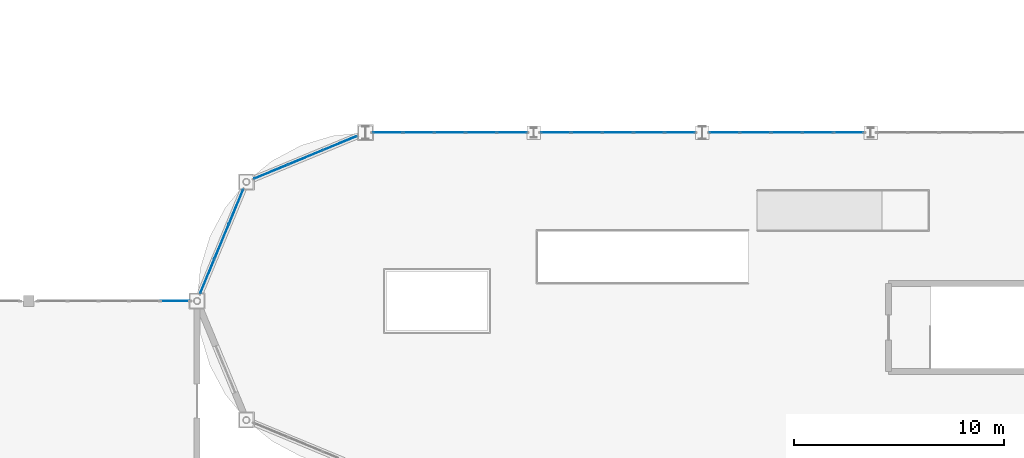
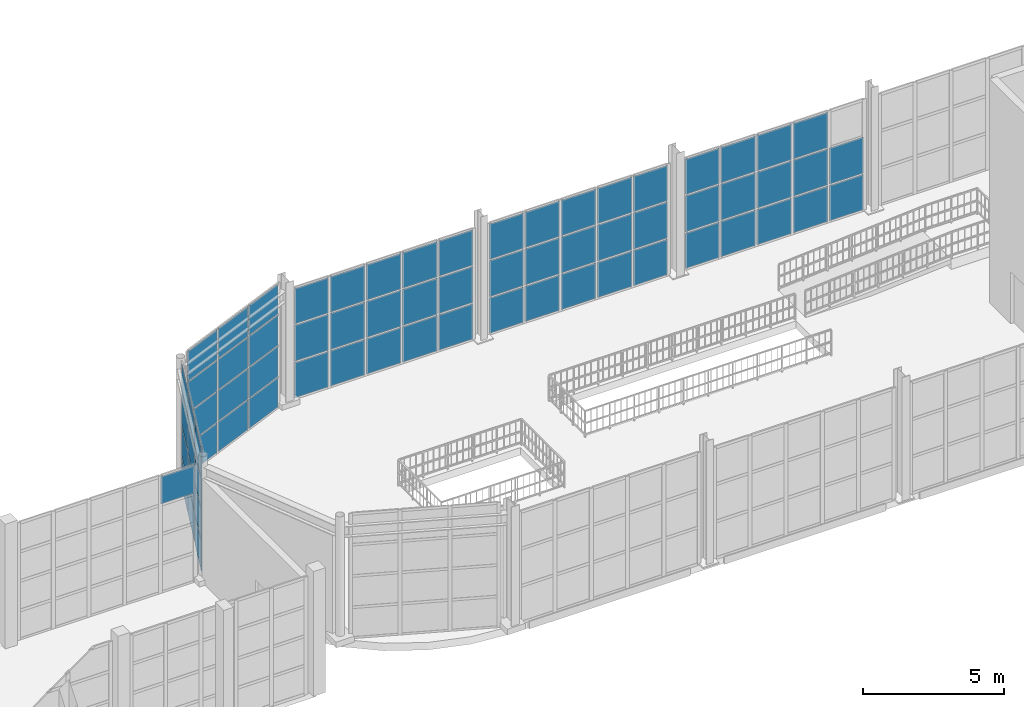
# One storey, part 54 of 82: 69 plates, 6 elements without a shape of their own.
"""IFC4 building model written with IfcOpenShell, lengths in metres."""

import ifcopenshell
import ifcopenshell.guid

model = None  # the IFC model being written
_history = None  # IfcOwnerHistory: only IFC2X3 demands one
_inside = {}  # id of a spatial element -> (the spatial element, [elements in it])
_under = {}  # id of a project, library or spatial element -> (it, [spatial elements below it])
_declared = {}  # id of a project -> (the project, [libraries it declares])
_typed = {}  # id of a type object -> (the type object, [elements of that type])
_made_of = {}  # id of a material, layer set ... -> (it, [elements and type objects made of it])


def new_model(schema):
    """Start an empty IFC model of exactly this schema.

    Asked for "IFC4X3", IfcOpenShell would pick the latest addendum, in which some entities
    have other attributes; the version numbers below select the first issue.
    IFC2X3 requires an IfcOwnerHistory on every rooted entity: one is made here for all.
    """
    global model, _history
    if schema == "IFC4X3":
        model = ifcopenshell.file(schema_version=(4, 3, 0, 0))
    else:
        model = ifcopenshell.file(schema=schema)
    _inside.clear()
    _under.clear()
    _declared.clear()
    _typed.clear()
    _made_of.clear()
    _history = None
    if model.schema == "IFC2X3":
        org = make("IfcOrganization", Name="unknown")
        user = make(
            "IfcPersonAndOrganization",
            ThePerson=make("IfcPerson", FamilyName="unknown"),
            TheOrganization=org,
        )
        app = make(
            "IfcApplication",
            ApplicationDeveloper=org,
            Version="unknown",
            ApplicationFullName="unknown",
            ApplicationIdentifier="unknown",
        )
        _history = make(
            "IfcOwnerHistory",
            OwningUser=user,
            OwningApplication=app,
            ChangeAction="ADDED",
            CreationDate=0,
        )
    return model


def make(cls, **values):
    """One entity of the class cls with the attributes given. An attribute that is None is left unset."""
    return model.create_entity(
        cls, **{name: value for name, value in values.items() if value is not None}
    )


def rooted(cls, **values):
    """An entity with a GlobalId (a new one), such as an element, a storey or a relation."""
    return make(cls, GlobalId=ifcopenshell.guid.new(), OwnerHistory=_history, **values)


def si_unit(unit_type, name, prefix=None):
    """IfcSIUnit, for example si_unit("LENGTHUNIT", "METRE", prefix="MILLI")."""
    return make("IfcSIUnit", UnitType=unit_type, Prefix=prefix, Name=name)


def assignment(units):
    """IfcUnitAssignment: the units of a project."""
    return None if units is None else make("IfcUnitAssignment", Units=units)


def point(xyz):
    """IfcCartesianPoint."""
    return None if xyz is None else make("IfcCartesianPoint", Coordinates=xyz)


def direction(xyz):
    """IfcDirection."""
    return None if xyz is None else make("IfcDirection", DirectionRatios=xyz)


def frame(location, z_axis=None, x_axis=None):
    """IfcAxis2Placement3D, a coordinate frame: its origin and axes. An axis left out is left unset."""
    return make(
        "IfcAxis2Placement3D",
        Location=point(location),
        Axis=direction(z_axis),
        RefDirection=direction(x_axis),
    )


def frame_2d(location, x_axis=None):
    """IfcAxis2Placement2D, a coordinate frame in the plane: its origin and x axis."""
    return make(
        "IfcAxis2Placement2D", Location=point(location), RefDirection=direction(x_axis)
    )


def origin():
    """The frame at (0, 0, 0) with its axes left unset."""
    return frame((0.0, 0.0, 0.0))


def origin_2d():
    """The frame at (0, 0) in the plane with its x axis left unset."""
    return frame_2d((0.0, 0.0))


def place(relative_to, where):
    """IfcLocalPlacement: puts the frame where relative to a parent placement (None: the world)."""
    return make(
        "IfcLocalPlacement", PlacementRelTo=relative_to, RelativePlacement=where
    )


def context(
    kind, dimensions, precision=None, world=None, true_north=None, identifier=None
):
    """IfcGeometricRepresentationContext, for example the 3D "Model" context."""
    return make(
        "IfcGeometricRepresentationContext",
        ContextIdentifier=identifier,
        ContextType=kind,
        CoordinateSpaceDimension=dimensions,
        Precision=precision,
        WorldCoordinateSystem=world,
        TrueNorth=true_north,
    )


def subcontext(parent, identifier, kind, view, scale=None):
    """IfcGeometricRepresentationSubContext, for example "Body" below "Model"."""
    return make(
        "IfcGeometricRepresentationSubContext",
        ContextIdentifier=identifier,
        ContextType=kind,
        ParentContext=parent,
        TargetScale=scale,
        TargetView=view,
    )


def project(units=None, contexts=None):
    """IfcProject with its units and contexts."""
    return rooted(
        "IfcProject",
        Name="project",
        RepresentationContexts=contexts,
        UnitsInContext=assignment(units),
    )


def spatial(cls, under=None, at=None, **own):
    """A site, building, storey or space (cls), placed at a placement, below another one or the project."""
    s = rooted(cls, ObjectPlacement=at, **own)
    if under is not None:
        _under.setdefault(under.id(), (under, []))[1].append(s)
    return s


def profile(cls, at=None, kind="AREA", **sizes):
    """A parametric profile (cls). Its sizes go by their IFC names, for example OverallWidth=200.0."""
    return make(cls, ProfileType=kind, Position=at, **sizes)


def rectangle(**sizes):
    """IfcRectangleProfileDef."""
    return profile("IfcRectangleProfileDef", **sizes)


def extrude(swept, where, along, depth):
    """IfcExtrudedAreaSolid: the profile swept, set in the frame where, extruded along a direction by depth."""
    return make(
        "IfcExtrudedAreaSolid",
        SweptArea=swept,
        Position=where,
        ExtrudedDirection=direction(along),
        Depth=depth,
    )


def shape(context_of_items, identifier, shape_type, items):
    """IfcShapeRepresentation: the items that make up one representation, for example the "Body"."""
    return make(
        "IfcShapeRepresentation",
        ContextOfItems=context_of_items,
        RepresentationIdentifier=identifier,
        RepresentationType=shape_type,
        Items=items,
    )


def material(Name=None, Category=None):
    """IfcMaterial."""
    return make("IfcMaterial", Name=Name, Category=Category)


def layer(
    of_material, thickness, ventilated=None, Name=None, Category=None, Priority=None
):
    """IfcMaterialLayer: one layer of a wall or slab, of a material (None: an air gap)."""
    return make(
        "IfcMaterialLayer",
        Material=of_material,
        LayerThickness=thickness,
        IsVentilated=ventilated,
        Name=Name,
        Category=Category,
        Priority=Priority,
    )


def layer_set(layers, Name=None):
    """IfcMaterialLayerSet."""
    return make("IfcMaterialLayerSet", MaterialLayers=layers, LayerSetName=Name)


def made_of(thing, what):
    """Note that an element or type object is made of a material, layer set ...; save() writes the relation."""
    if what is not None:
        _made_of.setdefault(what.id(), (what, []))[1].append(thing)
    return thing


def type_object(cls, material=None, **own):
    """A type object (cls), such as IfcWallType, which elements share."""
    return made_of(rooted(cls, **own), material)


def element(
    cls,
    number,
    at=None,
    inside=None,
    cuts=None,
    type_object=None,
    material=None,
    context=None,
    identifier="Body",
    shape_type=None,
    held_by="IfcProductDefinitionShape",
    body=None,
    shapes=None,
    **own,
):
    """One element of the class cls, such as IfcWall. Its Tag is "e" and its number.

    at: its placement. inside: the storey or other place that contains it. cuts: it is an
    opening in that element (IfcRelVoidsElement). A single representation is given by context,
    identifier, shape_type and body (its items); several are given by shapes. held_by: the class
    of the entity that holds the representations. save() writes the other relations.
    """
    e = rooted(cls, Tag="e%d" % number, ObjectPlacement=at, **own)
    if body is not None:
        shapes = [shape(context, identifier, shape_type, body)]
    if shapes is not None:
        e.Representation = make(held_by, Representations=shapes)
    if inside is not None:
        _inside.setdefault(inside.id(), (inside, []))[1].append(e)
    if cuts is not None:
        rooted(
            "IfcRelVoidsElement", RelatingBuildingElement=cuts, RelatedOpeningElement=e
        )
    if type_object is not None:
        _typed.setdefault(type_object.id(), (type_object, []))[1].append(e)
    return made_of(e, material)


def aggregate(whole, parts):
    """IfcRelAggregates: a whole, such as a stair, and the parts it consists of."""
    return rooted("IfcRelAggregates", RelatingObject=whole, RelatedObjects=parts)


def save(model, path):
    """Write the relations noted so far, then the file.

    IfcRelAggregates (storeys below a building ...), IfcRelContainedInSpatialStructure (elements
    in a storey), IfcRelDefinesByType, IfcRelAssociatesMaterial and IfcRelDeclares: one each for
    every whole, place, type object, material and project.
    """
    for whole, parts in _under.values():
        aggregate(whole, parts)
    for where, things in _inside.values():
        rooted(
            "IfcRelContainedInSpatialStructure",
            RelatedElements=things,
            RelatingStructure=where,
        )
    for kind, things in _typed.values():
        rooted("IfcRelDefinesByType", RelatedObjects=things, RelatingType=kind)
    for what, things in _made_of.values():
        rooted("IfcRelAssociatesMaterial", RelatedObjects=things, RelatingMaterial=what)
    for by, libraries in _declared.values():
        rooted("IfcRelDeclares", RelatingContext=by, RelatedDefinitions=libraries)
    model.write(path)


model = new_model("IFC4")

# Units and contexts
model_context = context("Model", 3, precision=1e-05, world=origin(), true_north=direction((0.0, 1.0)))
body_context = subcontext(model_context, "Body", "Model", "MODEL_VIEW")
ifc_project = project(units=[si_unit("LENGTHUNIT", "METRE"), si_unit("AREAUNIT", "SQUARE_METRE"), si_unit("VOLUMEUNIT", "CUBIC_METRE"), si_unit("PLANEANGLEUNIT", "RADIAN"), si_unit("MASSUNIT", "GRAM", prefix="KILO")], contexts=[model_context])

# Site, building, storey
site_placement = place(None, origin())
site = spatial("IfcSite", under=ifc_project, at=site_placement, CompositionType="ELEMENT")
building_placement = place(site_placement, origin())
building = spatial("IfcBuilding", under=site, at=building_placement, Name="Serraluz Foothill Cableway Terminal", CompositionType="ELEMENT")
storey_placement = place(building_placement, frame((0.0, 0.0, 9.60009765625)))
storey = spatial("IfcBuildingStorey", under=building, at=storey_placement, Name="L02", CompositionType="ELEMENT", Elevation=9.60009765625)

# Curtain wall, plates
ifc_material_1 = material(Name="Architectural bronze alloy C28000", Category="aluminium")
curtain_wall_type_1 = type_object("IfcCurtainWallType", Name="TYP-CW-540X420", PredefinedType="NOTDEFINED", material=ifc_material_1)
curtain_wall_1_placement = place(storey_placement, origin())
curtain_wall_1 = element("IfcCurtainWall", 1, at=curtain_wall_1_placement, inside=storey, type_object=curtain_wall_type_1, Name="Ribbed Glazed Curtain Wall CW-V1N-L02-40", PredefinedType="NOTDEFINED")
ifc_material_2 = material(Name="Translucent ribbed laminated channel glass", Category="glass")
ifc_layer_1 = layer(ifc_material_2, 0.028076171875, Name="Translucent ribbed laminated channel glass", Category="glass")
ifc_layer_set_1 = layer_set([ifc_layer_1], Name="Translucent ribbed laminated channel glass")
plate_type_1 = type_object("IfcPlateType", Name="TYP-CW-PNL-28", PredefinedType="CURTAIN_PANEL", material=ifc_layer_set_1)
plate_1_placement = place(storey_placement, frame((41.05908203125, 72.0, 0.06005859375), z_axis=(0.0, 0.0, 1.0), x_axis=(1.0, 0.0, 0.0)))
plate_1 = element("IfcPlate", 2, at=plate_1_placement, type_object=plate_type_1, Name="CW-10 panel 1.1", PredefinedType="CURTAIN_PANEL", context=body_context, shape_type="SweptSolid", body=[
    extrude(rectangle(XDim=1.393310546875, YDim=0.028076171875, at=origin_2d()), origin(), (0.0, 0.0, 1.0), 1.526611328125),
])
plate_2_placement = place(storey_placement, frame((41.05908203125, 72.0, 1.646484375), z_axis=(0.0, 0.0, 1.0), x_axis=(1.0, 0.0, 0.0)))
plate_2 = element("IfcPlate", 3, at=plate_2_placement, type_object=plate_type_1, Name="CW-10 panel 1.2", PredefinedType="CURTAIN_PANEL", context=body_context, shape_type="SweptSolid", body=[
    extrude(rectangle(XDim=1.393310546875, YDim=0.028076171875, at=origin_2d()), origin(), (0.0, 0.0, 1.0), 1.556640625),
])
plate_3_placement = place(storey_placement, frame((41.05908203125, 72.0, 3.26318359375), z_axis=(0.0, 0.0, 1.0), x_axis=(1.0, 0.0, 0.0)))
plate_3 = element("IfcPlate", 4, at=plate_3_placement, type_object=plate_type_1, Name="CW-10 panel 1.3", PredefinedType="CURTAIN_PANEL", context=body_context, shape_type="SweptSolid", body=[
    extrude(rectangle(XDim=1.393310546875, YDim=0.028076171875, at=origin_2d()), origin(), (0.0, 0.0, 1.0), 1.526611328125),
])
plate_4_placement = place(storey_placement, frame((42.52734375, 72.0, 0.06005859375), z_axis=(0.0, 0.0, 1.0), x_axis=(1.0, 0.0, 0.0)))
plate_4 = element("IfcPlate", 5, at=plate_4_placement, type_object=plate_type_1, Name="CW-10 panel 2.1", PredefinedType="CURTAIN_PANEL", context=body_context, shape_type="SweptSolid", body=[
    extrude(rectangle(XDim=1.423095703125, YDim=0.028076171875, at=origin_2d()), origin(), (0.0, 0.0, 1.0), 1.526611328125),
])
plate_5_placement = place(storey_placement, frame((42.52734375, 72.0, 1.646484375), z_axis=(0.0, 0.0, 1.0), x_axis=(1.0, 0.0, 0.0)))
plate_5 = element("IfcPlate", 6, at=plate_5_placement, type_object=plate_type_1, Name="CW-10 panel 2.2", PredefinedType="CURTAIN_PANEL", context=body_context, shape_type="SweptSolid", body=[
    extrude(rectangle(XDim=1.423095703125, YDim=0.028076171875, at=origin_2d()), origin(), (0.0, 0.0, 1.0), 1.556640625),
])
plate_6_placement = place(storey_placement, frame((42.52734375, 72.0, 3.26318359375), z_axis=(0.0, 0.0, 1.0), x_axis=(1.0, 0.0, 0.0)))
plate_6 = element("IfcPlate", 7, at=plate_6_placement, type_object=plate_type_1, Name="CW-10 panel 2.3", PredefinedType="CURTAIN_PANEL", context=body_context, shape_type="SweptSolid", body=[
    extrude(rectangle(XDim=1.423095703125, YDim=0.028076171875, at=origin_2d()), origin(), (0.0, 0.0, 1.0), 1.526611328125),
])
plate_7_placement = place(storey_placement, frame((44.010498046875, 72.0, 0.06005859375), z_axis=(0.0, 0.0, 1.0), x_axis=(1.0, 0.0, 0.0)))
plate_7 = element("IfcPlate", 8, at=plate_7_placement, type_object=plate_type_1, Name="CW-10 panel 3.1", PredefinedType="CURTAIN_PANEL", context=body_context, shape_type="SweptSolid", body=[
    extrude(rectangle(XDim=1.423095703125, YDim=0.028076171875, at=origin_2d()), origin(), (0.0, 0.0, 1.0), 1.526611328125),
])
plate_8_placement = place(storey_placement, frame((44.010498046875, 72.0, 1.646484375), z_axis=(0.0, 0.0, 1.0), x_axis=(1.0, 0.0, 0.0)))
plate_8 = element("IfcPlate", 9, at=plate_8_placement, type_object=plate_type_1, Name="CW-10 panel 3.2", PredefinedType="CURTAIN_PANEL", context=body_context, shape_type="SweptSolid", body=[
    extrude(rectangle(XDim=1.423095703125, YDim=0.028076171875, at=origin_2d()), origin(), (0.0, 0.0, 1.0), 1.556640625),
])
plate_9_placement = place(storey_placement, frame((44.010498046875, 72.0, 3.26318359375), z_axis=(0.0, 0.0, 1.0), x_axis=(1.0, 0.0, 0.0)))
plate_9 = element("IfcPlate", 10, at=plate_9_placement, type_object=plate_type_1, Name="CW-10 panel 3.3", PredefinedType="CURTAIN_PANEL", context=body_context, shape_type="SweptSolid", body=[
    extrude(rectangle(XDim=1.423095703125, YDim=0.028076171875, at=origin_2d()), origin(), (0.0, 0.0, 1.0), 1.526611328125),
])
plate_10_placement = place(storey_placement, frame((45.49365234375, 72.0, 0.06005859375), z_axis=(0.0, 0.0, 1.0), x_axis=(1.0, 0.0, 0.0)))
plate_10 = element("IfcPlate", 11, at=plate_10_placement, type_object=plate_type_1, Name="CW-10 panel 4.1", PredefinedType="CURTAIN_PANEL", context=body_context, shape_type="SweptSolid", body=[
    extrude(rectangle(XDim=1.423095703125, YDim=0.028076171875, at=origin_2d()), origin(), (0.0, 0.0, 1.0), 1.526611328125),
])
plate_11_placement = place(storey_placement, frame((45.49365234375, 72.0, 1.646484375), z_axis=(0.0, 0.0, 1.0), x_axis=(1.0, 0.0, 0.0)))
plate_11 = element("IfcPlate", 12, at=plate_11_placement, type_object=plate_type_1, Name="CW-10 panel 4.2", PredefinedType="CURTAIN_PANEL", context=body_context, shape_type="SweptSolid", body=[
    extrude(rectangle(XDim=1.423095703125, YDim=0.028076171875, at=origin_2d()), origin(), (0.0, 0.0, 1.0), 1.556640625),
])
plate_12_placement = place(storey_placement, frame((45.49365234375, 72.0, 3.26318359375), z_axis=(0.0, 0.0, 1.0), x_axis=(1.0, 0.0, 0.0)))
plate_12 = element("IfcPlate", 13, at=plate_12_placement, type_object=plate_type_1, Name="CW-10 panel 4.3", PredefinedType="CURTAIN_PANEL", context=body_context, shape_type="SweptSolid", body=[
    extrude(rectangle(XDim=1.423095703125, YDim=0.028076171875, at=origin_2d()), origin(), (0.0, 0.0, 1.0), 1.526611328125),
])
plate_13_placement = place(storey_placement, frame((46.9619140625, 72.0, 0.06005859375), z_axis=(0.0, 0.0, 1.0), x_axis=(1.0, 0.0, 0.0)))
plate_13 = element("IfcPlate", 14, at=plate_13_placement, type_object=plate_type_1, Name="CW-10 panel 5.1", PredefinedType="CURTAIN_PANEL", context=body_context, shape_type="SweptSolid", body=[
    extrude(rectangle(XDim=1.393310546875, YDim=0.028076171875, at=origin_2d()), origin(), (0.0, 0.0, 1.0), 1.526611328125),
])
plate_14_placement = place(storey_placement, frame((46.9619140625, 72.0, 1.646484375), z_axis=(0.0, 0.0, 1.0), x_axis=(1.0, 0.0, 0.0)))
plate_14 = element("IfcPlate", 15, at=plate_14_placement, type_object=plate_type_1, Name="CW-10 panel 5.2", PredefinedType="CURTAIN_PANEL", context=body_context, shape_type="SweptSolid", body=[
    extrude(rectangle(XDim=1.393310546875, YDim=0.028076171875, at=origin_2d()), origin(), (0.0, 0.0, 1.0), 1.556640625),
])
plate_15_placement = place(storey_placement, frame((46.9619140625, 72.0, 3.26318359375), z_axis=(0.0, 0.0, 1.0), x_axis=(1.0, 0.0, 0.0)))
plate_15 = element("IfcPlate", 16, at=plate_15_placement, type_object=plate_type_1, Name="CW-10 panel 5.3", PredefinedType="CURTAIN_PANEL", context=body_context, shape_type="SweptSolid", body=[
    extrude(rectangle(XDim=1.393310546875, YDim=0.028076171875, at=origin_2d()), origin(), (0.0, 0.0, 1.0), 1.526611328125),
])
aggregate(curtain_wall_1, [plate_1, plate_2, plate_3, plate_4, plate_5, plate_6, plate_7, plate_8, plate_9, plate_10, plate_11, plate_12, plate_13, plate_14, plate_15])

curtain_wall_type_2 = type_object("IfcCurtainWallType", Name="TYP-CW-620X420", PredefinedType="NOTDEFINED", material=ifc_material_1)
curtain_wall_2_placement = place(storey_placement, origin())
curtain_wall_2 = element("IfcCurtainWall", 17, at=curtain_wall_2_placement, inside=storey, type_object=curtain_wall_type_2, Name="Ribbed Glazed Curtain Wall CW-V1N-L02-48", PredefinedType="NOTDEFINED")
plate_16_placement = place(storey_placement, frame((49.0380859375, 72.0, 0.06005859375), z_axis=(0.0, 0.0, 1.0), x_axis=(1.0, 0.0, 0.0)))
plate_16 = element("IfcPlate", 18, at=plate_16_placement, type_object=plate_type_1, Name="CW-11 panel 1.1", PredefinedType="CURTAIN_PANEL", context=body_context, shape_type="SweptSolid", body=[
    extrude(rectangle(XDim=1.393310546875, YDim=0.028076171875, at=origin_2d()), origin(), (0.0, 0.0, 1.0), 1.526611328125),
])
plate_17_placement = place(storey_placement, frame((49.0380859375, 72.0, 1.646484375), z_axis=(0.0, 0.0, 1.0), x_axis=(1.0, 0.0, 0.0)))
plate_17 = element("IfcPlate", 19, at=plate_17_placement, type_object=plate_type_1, Name="CW-11 panel 1.2", PredefinedType="CURTAIN_PANEL", context=body_context, shape_type="SweptSolid", body=[
    extrude(rectangle(XDim=1.393310546875, YDim=0.028076171875, at=origin_2d()), origin(), (0.0, 0.0, 1.0), 1.556640625),
])
plate_18_placement = place(storey_placement, frame((49.0380859375, 72.0, 3.26318359375), z_axis=(0.0, 0.0, 1.0), x_axis=(1.0, 0.0, 0.0)))
plate_18 = element("IfcPlate", 20, at=plate_18_placement, type_object=plate_type_1, Name="CW-11 panel 1.3", PredefinedType="CURTAIN_PANEL", context=body_context, shape_type="SweptSolid", body=[
    extrude(rectangle(XDim=1.393310546875, YDim=0.028076171875, at=origin_2d()), origin(), (0.0, 0.0, 1.0), 1.526611328125),
])
plate_19_placement = place(storey_placement, frame((50.50634765625, 72.0, 0.06005859375), z_axis=(0.0, 0.0, 1.0), x_axis=(1.0, 0.0, 0.0)))
plate_19 = element("IfcPlate", 21, at=plate_19_placement, type_object=plate_type_1, Name="CW-11 panel 2.1", PredefinedType="CURTAIN_PANEL", context=body_context, shape_type="SweptSolid", body=[
    extrude(rectangle(XDim=1.423095703125, YDim=0.028076171875, at=origin_2d()), origin(), (0.0, 0.0, 1.0), 1.526611328125),
])
plate_20_placement = place(storey_placement, frame((50.50634765625, 72.0, 1.646484375), z_axis=(0.0, 0.0, 1.0), x_axis=(1.0, 0.0, 0.0)))
plate_20 = element("IfcPlate", 22, at=plate_20_placement, type_object=plate_type_1, Name="CW-11 panel 2.2", PredefinedType="CURTAIN_PANEL", context=body_context, shape_type="SweptSolid", body=[
    extrude(rectangle(XDim=1.423095703125, YDim=0.028076171875, at=origin_2d()), origin(), (0.0, 0.0, 1.0), 1.556640625),
])
plate_21_placement = place(storey_placement, frame((50.50634765625, 72.0, 3.26318359375), z_axis=(0.0, 0.0, 1.0), x_axis=(1.0, 0.0, 0.0)))
plate_21 = element("IfcPlate", 23, at=plate_21_placement, type_object=plate_type_1, Name="CW-11 panel 2.3", PredefinedType="CURTAIN_PANEL", context=body_context, shape_type="SweptSolid", body=[
    extrude(rectangle(XDim=1.423095703125, YDim=0.028076171875, at=origin_2d()), origin(), (0.0, 0.0, 1.0), 1.526611328125),
])
plate_22_placement = place(storey_placement, frame((51.989501953125, 72.0, 0.06005859375), z_axis=(0.0, 0.0, 1.0), x_axis=(1.0, 0.0, 0.0)))
plate_22 = element("IfcPlate", 24, at=plate_22_placement, type_object=plate_type_1, Name="CW-11 panel 3.1", PredefinedType="CURTAIN_PANEL", context=body_context, shape_type="SweptSolid", body=[
    extrude(rectangle(XDim=1.423095703125, YDim=0.028076171875, at=origin_2d()), origin(), (0.0, 0.0, 1.0), 1.526611328125),
])
plate_23_placement = place(storey_placement, frame((51.989501953125, 72.0, 1.646484375), z_axis=(0.0, 0.0, 1.0), x_axis=(1.0, 0.0, 0.0)))
plate_23 = element("IfcPlate", 25, at=plate_23_placement, type_object=plate_type_1, Name="CW-11 panel 3.2", PredefinedType="CURTAIN_PANEL", context=body_context, shape_type="SweptSolid", body=[
    extrude(rectangle(XDim=1.423095703125, YDim=0.028076171875, at=origin_2d()), origin(), (0.0, 0.0, 1.0), 1.556640625),
])
plate_24_placement = place(storey_placement, frame((51.989501953125, 72.0, 3.26318359375), z_axis=(0.0, 0.0, 1.0), x_axis=(1.0, 0.0, 0.0)))
plate_24 = element("IfcPlate", 26, at=plate_24_placement, type_object=plate_type_1, Name="CW-11 panel 3.3", PredefinedType="CURTAIN_PANEL", context=body_context, shape_type="SweptSolid", body=[
    extrude(rectangle(XDim=1.423095703125, YDim=0.028076171875, at=origin_2d()), origin(), (0.0, 0.0, 1.0), 1.526611328125),
])
plate_25_placement = place(storey_placement, frame((53.47265625, 72.0, 0.06005859375), z_axis=(0.0, 0.0, 1.0), x_axis=(1.0, 0.0, 0.0)))
plate_25 = element("IfcPlate", 27, at=plate_25_placement, type_object=plate_type_1, Name="CW-11 panel 4.1", PredefinedType="CURTAIN_PANEL", context=body_context, shape_type="SweptSolid", body=[
    extrude(rectangle(XDim=1.423095703125, YDim=0.028076171875, at=origin_2d()), origin(), (0.0, 0.0, 1.0), 1.526611328125),
])
plate_26_placement = place(storey_placement, frame((53.47265625, 72.0, 1.646484375), z_axis=(0.0, 0.0, 1.0), x_axis=(1.0, 0.0, 0.0)))
plate_26 = element("IfcPlate", 28, at=plate_26_placement, type_object=plate_type_1, Name="CW-11 panel 4.2", PredefinedType="CURTAIN_PANEL", context=body_context, shape_type="SweptSolid", body=[
    extrude(rectangle(XDim=1.423095703125, YDim=0.028076171875, at=origin_2d()), origin(), (0.0, 0.0, 1.0), 1.556640625),
])
plate_27_placement = place(storey_placement, frame((53.47265625, 72.0, 3.26318359375), z_axis=(0.0, 0.0, 1.0), x_axis=(1.0, 0.0, 0.0)))
plate_27 = element("IfcPlate", 29, at=plate_27_placement, type_object=plate_type_1, Name="CW-11 panel 4.3", PredefinedType="CURTAIN_PANEL", context=body_context, shape_type="SweptSolid", body=[
    extrude(rectangle(XDim=1.423095703125, YDim=0.028076171875, at=origin_2d()), origin(), (0.0, 0.0, 1.0), 1.526611328125),
])
plate_28_placement = place(storey_placement, frame((54.94091796875, 72.0, 0.06005859375), z_axis=(0.0, 0.0, 1.0), x_axis=(1.0, 0.0, 0.0)))
plate_28 = element("IfcPlate", 30, at=plate_28_placement, type_object=plate_type_1, Name="CW-11 panel 5.1", PredefinedType="CURTAIN_PANEL", context=body_context, shape_type="SweptSolid", body=[
    extrude(rectangle(XDim=1.393310546875, YDim=0.028076171875, at=origin_2d()), origin(), (0.0, 0.0, 1.0), 1.526611328125),
])
plate_29_placement = place(storey_placement, frame((54.94091796875, 72.0, 1.646484375), z_axis=(0.0, 0.0, 1.0), x_axis=(1.0, 0.0, 0.0)))
plate_29 = element("IfcPlate", 31, at=plate_29_placement, type_object=plate_type_1, Name="CW-11 panel 5.2", PredefinedType="CURTAIN_PANEL", context=body_context, shape_type="SweptSolid", body=[
    extrude(rectangle(XDim=1.393310546875, YDim=0.028076171875, at=origin_2d()), origin(), (0.0, 0.0, 1.0), 1.556640625),
])
plate_30_placement = place(storey_placement, frame((54.94091796875, 72.0, 3.26318359375), z_axis=(0.0, 0.0, 1.0), x_axis=(1.0, 0.0, 0.0)))
plate_30 = element("IfcPlate", 32, at=plate_30_placement, type_object=plate_type_1, Name="CW-11 panel 5.3", PredefinedType="CURTAIN_PANEL", context=body_context, shape_type="SweptSolid", body=[
    extrude(rectangle(XDim=1.393310546875, YDim=0.028076171875, at=origin_2d()), origin(), (0.0, 0.0, 1.0), 1.526611328125),
])
aggregate(curtain_wall_2, [plate_16, plate_17, plate_18, plate_19, plate_20, plate_21, plate_22, plate_23, plate_24, plate_25, plate_26, plate_27, plate_28, plate_29, plate_30])

curtain_wall_type_3 = type_object("IfcCurtainWallType", Name="TYP-CW-640X440", PredefinedType="NOTDEFINED", material=ifc_material_1)
curtain_wall_3_placement = place(storey_placement, origin())
curtain_wall_3 = element("IfcCurtainWall", 33, at=curtain_wall_3_placement, inside=storey, type_object=curtain_wall_type_3, Name="Ribbed Glazed Curtain Wall CW-V1N-L02-56", PredefinedType="NOTDEFINED")
plate_31_placement = place(storey_placement, frame((57.05908203125, 72.0, 0.06005859375), z_axis=(0.0, 0.0, 1.0), x_axis=(1.0, 0.0, 0.0)))
plate_31 = element("IfcPlate", 34, at=plate_31_placement, type_object=plate_type_1, Name="CW-12 panel 1.1", PredefinedType="CURTAIN_PANEL", context=body_context, shape_type="SweptSolid", body=[
    extrude(rectangle(XDim=1.393310546875, YDim=0.028076171875, at=origin_2d()), origin(), (0.0, 0.0, 1.0), 1.526611328125),
])
plate_32_placement = place(storey_placement, frame((57.05908203125, 72.0, 1.646484375), z_axis=(0.0, 0.0, 1.0), x_axis=(1.0, 0.0, 0.0)))
plate_32 = element("IfcPlate", 35, at=plate_32_placement, type_object=plate_type_1, Name="CW-12 panel 1.2", PredefinedType="CURTAIN_PANEL", context=body_context, shape_type="SweptSolid", body=[
    extrude(rectangle(XDim=1.393310546875, YDim=0.028076171875, at=origin_2d()), origin(), (0.0, 0.0, 1.0), 1.556640625),
])
plate_33_placement = place(storey_placement, frame((57.05908203125, 72.0, 3.26318359375), z_axis=(0.0, 0.0, 1.0), x_axis=(1.0, 0.0, 0.0)))
plate_33 = element("IfcPlate", 36, at=plate_33_placement, type_object=plate_type_1, Name="CW-12 panel 1.3", PredefinedType="CURTAIN_PANEL", context=body_context, shape_type="SweptSolid", body=[
    extrude(rectangle(XDim=1.393310546875, YDim=0.028076171875, at=origin_2d()), origin(), (0.0, 0.0, 1.0), 1.526611328125),
])
plate_34_placement = place(storey_placement, frame((58.52734375, 72.0, 0.06005859375), z_axis=(0.0, 0.0, 1.0), x_axis=(1.0, 0.0, 0.0)))
plate_34 = element("IfcPlate", 37, at=plate_34_placement, type_object=plate_type_1, Name="CW-12 panel 2.1", PredefinedType="CURTAIN_PANEL", context=body_context, shape_type="SweptSolid", body=[
    extrude(rectangle(XDim=1.423095703125, YDim=0.028076171875, at=origin_2d()), origin(), (0.0, 0.0, 1.0), 1.526611328125),
])
plate_35_placement = place(storey_placement, frame((58.52734375, 72.0, 1.646484375), z_axis=(0.0, 0.0, 1.0), x_axis=(1.0, 0.0, 0.0)))
plate_35 = element("IfcPlate", 38, at=plate_35_placement, type_object=plate_type_1, Name="CW-12 panel 2.2", PredefinedType="CURTAIN_PANEL", context=body_context, shape_type="SweptSolid", body=[
    extrude(rectangle(XDim=1.423095703125, YDim=0.028076171875, at=origin_2d()), origin(), (0.0, 0.0, 1.0), 1.556640625),
])
plate_36_placement = place(storey_placement, frame((58.52734375, 72.0, 3.26318359375), z_axis=(0.0, 0.0, 1.0), x_axis=(1.0, 0.0, 0.0)))
plate_36 = element("IfcPlate", 39, at=plate_36_placement, type_object=plate_type_1, Name="CW-12 panel 2.3", PredefinedType="CURTAIN_PANEL", context=body_context, shape_type="SweptSolid", body=[
    extrude(rectangle(XDim=1.423095703125, YDim=0.028076171875, at=origin_2d()), origin(), (0.0, 0.0, 1.0), 1.526611328125),
])
plate_37_placement = place(storey_placement, frame((60.010498046875, 72.0, 0.06005859375), z_axis=(0.0, 0.0, 1.0), x_axis=(1.0, 0.0, 0.0)))
plate_37 = element("IfcPlate", 40, at=plate_37_placement, type_object=plate_type_1, Name="CW-12 panel 3.1", PredefinedType="CURTAIN_PANEL", context=body_context, shape_type="SweptSolid", body=[
    extrude(rectangle(XDim=1.423095703125, YDim=0.028076171875, at=origin_2d()), origin(), (0.0, 0.0, 1.0), 1.526611328125),
])
plate_38_placement = place(storey_placement, frame((60.010498046875, 72.0, 1.646484375), z_axis=(0.0, 0.0, 1.0), x_axis=(1.0, 0.0, 0.0)))
plate_38 = element("IfcPlate", 41, at=plate_38_placement, type_object=plate_type_1, Name="CW-12 panel 3.2", PredefinedType="CURTAIN_PANEL", context=body_context, shape_type="SweptSolid", body=[
    extrude(rectangle(XDim=1.423095703125, YDim=0.028076171875, at=origin_2d()), origin(), (0.0, 0.0, 1.0), 1.556640625),
])
plate_39_placement = place(storey_placement, frame((60.010498046875, 72.0, 3.26318359375), z_axis=(0.0, 0.0, 1.0), x_axis=(1.0, 0.0, 0.0)))
plate_39 = element("IfcPlate", 42, at=plate_39_placement, type_object=plate_type_1, Name="CW-12 panel 3.3", PredefinedType="CURTAIN_PANEL", context=body_context, shape_type="SweptSolid", body=[
    extrude(rectangle(XDim=1.423095703125, YDim=0.028076171875, at=origin_2d()), origin(), (0.0, 0.0, 1.0), 1.526611328125),
])
plate_40_placement = place(storey_placement, frame((61.49365234375, 72.0, 0.06005859375), z_axis=(0.0, 0.0, 1.0), x_axis=(1.0, 0.0, 0.0)))
plate_40 = element("IfcPlate", 43, at=plate_40_placement, type_object=plate_type_1, Name="CW-12 panel 4.1", PredefinedType="CURTAIN_PANEL", context=body_context, shape_type="SweptSolid", body=[
    extrude(rectangle(XDim=1.423095703125, YDim=0.028076171875, at=origin_2d()), origin(), (0.0, 0.0, 1.0), 1.526611328125),
])
plate_41_placement = place(storey_placement, frame((61.49365234375, 72.0, 1.646484375), z_axis=(0.0, 0.0, 1.0), x_axis=(1.0, 0.0, 0.0)))
plate_41 = element("IfcPlate", 44, at=plate_41_placement, type_object=plate_type_1, Name="CW-12 panel 4.2", PredefinedType="CURTAIN_PANEL", context=body_context, shape_type="SweptSolid", body=[
    extrude(rectangle(XDim=1.423095703125, YDim=0.028076171875, at=origin_2d()), origin(), (0.0, 0.0, 1.0), 1.556640625),
])
plate_42_placement = place(storey_placement, frame((61.49365234375, 72.0, 3.26318359375), z_axis=(0.0, 0.0, 1.0), x_axis=(1.0, 0.0, 0.0)))
plate_42 = element("IfcPlate", 45, at=plate_42_placement, type_object=plate_type_1, Name="CW-12 panel 4.3", PredefinedType="CURTAIN_PANEL", context=body_context, shape_type="SweptSolid", body=[
    extrude(rectangle(XDim=1.423095703125, YDim=0.028076171875, at=origin_2d()), origin(), (0.0, 0.0, 1.0), 1.526611328125),
])
plate_43_placement = place(storey_placement, frame((62.9619140625, 72.0, 0.06005859375), z_axis=(0.0, 0.0, 1.0), x_axis=(1.0, 0.0, 0.0)))
plate_43 = element("IfcPlate", 46, at=plate_43_placement, type_object=plate_type_1, Name="CW-12 panel 5.1", PredefinedType="CURTAIN_PANEL", context=body_context, shape_type="SweptSolid", body=[
    extrude(rectangle(XDim=1.393310546875, YDim=0.028076171875, at=origin_2d()), origin(), (0.0, 0.0, 1.0), 1.526611328125),
])
plate_44_placement = place(storey_placement, frame((62.9619140625, 72.0, 1.646484375), z_axis=(0.0, 0.0, 1.0), x_axis=(1.0, 0.0, 0.0)))
plate_44 = element("IfcPlate", 47, at=plate_44_placement, type_object=plate_type_1, Name="CW-12 panel 5.2", PredefinedType="CURTAIN_PANEL", context=body_context, shape_type="SweptSolid", body=[
    extrude(rectangle(XDim=1.393310546875, YDim=0.028076171875, at=origin_2d()), origin(), (0.0, 0.0, 1.0), 1.556640625),
])
aggregate(curtain_wall_3, [plate_31, plate_32, plate_33, plate_34, plate_35, plate_36, plate_37, plate_38, plate_39, plate_40, plate_41, plate_42, plate_43, plate_44])

# Curtain wall, plate
curtain_wall_type_4 = type_object("IfcCurtainWallType", Name="TYP-CW-710X420", PredefinedType="NOTDEFINED", material=ifc_material_1)
curtain_wall_4_placement = place(storey_placement, origin())
curtain_wall_4 = element("IfcCurtainWall", 48, at=curtain_wall_4_placement, inside=storey, type_object=curtain_wall_type_4, Name="Ribbed Glazed Curtain Wall CW-WLN-L02-24", PredefinedType="NOTDEFINED")
plate_45_placement = place(storey_placement, frame((30.9521484375, 64.0, 3.85498046875), z_axis=(0.0, 0.0, 1.0), x_axis=(1.0, 0.0, 0.0)))
plate_45 = element("IfcPlate", 49, at=plate_45_placement, type_object=plate_type_1, Name="CW-01 panel 5.4", PredefinedType="CURTAIN_PANEL", context=body_context, shape_type="SweptSolid", body=[
    extrude(rectangle(XDim=1.37158203125, YDim=0.028076171875, at=origin_2d()), origin(), (0.0, 0.0, 1.0), 1.18505859375),
])
aggregate(curtain_wall_4, [plate_45])

# Curtain wall, plates
curtain_wall_type_5 = type_object("IfcCurtainWallType", Name="TYP-CW-440X360", PredefinedType="NOTDEFINED", material=ifc_material_1)
curtain_wall_5_placement = place(storey_placement, origin())
curtain_wall_5 = element("IfcCurtainWall", 50, at=curtain_wall_5_placement, inside=storey, type_object=curtain_wall_type_5, Name="Ribbed Glazed Curtain Wall CW-V1-W-L02-3", PredefinedType="NOTDEFINED")
ifc_material_3 = material(Name="Laminated low-E safety glass", Category="glass")
ifc_layer_2 = layer(ifc_material_3, 0.031982421875, Name="Laminated low-E safety glass", Category="glass")
ifc_layer_set_2 = layer_set([ifc_layer_2], Name="Laminated low-E safety glass")
plate_type_2 = type_object("IfcPlateType", Name="TYP-CW-PNL-32", PredefinedType="CURTAIN_PANEL", material=ifc_layer_set_2)
plate_46_placement = place(storey_placement, frame((32.4853515625, 65.172119140625, 0.054931640625), z_axis=(0.0, 0.0, 1.0), x_axis=(0.382684759834, 0.923878982655, 0.0)))
plate_46 = element("IfcPlate", 51, at=plate_46_placement, type_object=plate_type_2, Name="CW-16 panel 1.1", PredefinedType="CURTAIN_PANEL", context=body_context, shape_type="SweptSolid", body=[
    extrude(rectangle(XDim=1.72412109375, YDim=0.031982421875, at=origin_2d()), origin(), (0.0, 0.0, 1.0), 1.2724609375),
])
plate_47_placement = place(storey_placement, frame((32.4853515625, 65.172119140625, 1.38232421875), z_axis=(0.0, 0.0, 1.0), x_axis=(0.382684759834, 0.923878982655, 0.0)))
plate_47 = element("IfcPlate", 52, at=plate_47_placement, type_object=plate_type_2, Name="CW-16 panel 1.2", PredefinedType="CURTAIN_PANEL", context=body_context, shape_type="SweptSolid", body=[
    extrude(rectangle(XDim=1.72412109375, YDim=0.031982421875, at=origin_2d()), origin(), (0.0, 0.0, 1.0), 1.300048828125),
])
plate_48_placement = place(storey_placement, frame((32.4853515625, 65.172119140625, 2.7373046875), z_axis=(0.0, 0.0, 1.0), x_axis=(0.382684759834, 0.923878982655, 0.0)))
plate_48 = element("IfcPlate", 53, at=plate_48_placement, type_object=plate_type_2, Name="CW-16 panel 1.3", PredefinedType="CURTAIN_PANEL", context=body_context, shape_type="SweptSolid", body=[
    extrude(rectangle(XDim=1.72412109375, YDim=0.031982421875, at=origin_2d()), origin(), (0.0, 0.0, 1.0), 1.300048828125),
])
plate_49_placement = place(storey_placement, frame((32.4853515625, 65.172119140625, 4.092529296875), z_axis=(0.0, 0.0, 1.0), x_axis=(0.382684759834, 0.923878982655, 0.0)))
plate_49 = element("IfcPlate", 54, at=plate_49_placement, type_object=plate_type_2, Name="CW-16 panel 1.4", PredefinedType="CURTAIN_PANEL", context=body_context, shape_type="SweptSolid", body=[
    extrude(rectangle(XDim=1.72412109375, YDim=0.031982421875, at=origin_2d()), origin(), (0.0, 0.0, 1.0), 1.2724609375),
])
plate_50_placement = place(storey_placement, frame((33.171630859375, 66.828369140625, 0.054931640625), z_axis=(0.0, 0.0, 1.0), x_axis=(0.382684759834, 0.923878982655, 0.0)))
plate_50 = element("IfcPlate", 55, at=plate_50_placement, type_object=plate_type_2, Name="CW-16 panel 2.1", PredefinedType="CURTAIN_PANEL", context=body_context, shape_type="SweptSolid", body=[
    extrude(rectangle(XDim=1.751708984375, YDim=0.031982421875, at=origin_2d()), origin(), (0.0, 0.0, 1.0), 1.2724609375),
])
plate_51_placement = place(storey_placement, frame((33.171630859375, 66.828369140625, 1.38232421875), z_axis=(0.0, 0.0, 1.0), x_axis=(0.382684759834, 0.923878982655, 0.0)))
plate_51 = element("IfcPlate", 56, at=plate_51_placement, type_object=plate_type_2, Name="CW-16 panel 2.2", PredefinedType="CURTAIN_PANEL", context=body_context, shape_type="SweptSolid", body=[
    extrude(rectangle(XDim=1.751708984375, YDim=0.031982421875, at=origin_2d()), origin(), (0.0, 0.0, 1.0), 1.300048828125),
])
plate_52_placement = place(storey_placement, frame((33.171630859375, 66.828369140625, 2.7373046875), z_axis=(0.0, 0.0, 1.0), x_axis=(0.382684759834, 0.923878982655, 0.0)))
plate_52 = element("IfcPlate", 57, at=plate_52_placement, type_object=plate_type_2, Name="CW-16 panel 2.3", PredefinedType="CURTAIN_PANEL", context=body_context, shape_type="SweptSolid", body=[
    extrude(rectangle(XDim=1.751708984375, YDim=0.031982421875, at=origin_2d()), origin(), (0.0, 0.0, 1.0), 1.300048828125),
])
plate_53_placement = place(storey_placement, frame((33.171630859375, 66.828369140625, 4.092529296875), z_axis=(0.0, 0.0, 1.0), x_axis=(0.382684759834, 0.923878982655, 0.0)))
plate_53 = element("IfcPlate", 58, at=plate_53_placement, type_object=plate_type_2, Name="CW-16 panel 2.4", PredefinedType="CURTAIN_PANEL", context=body_context, shape_type="SweptSolid", body=[
    extrude(rectangle(XDim=1.751708984375, YDim=0.031982421875, at=origin_2d()), origin(), (0.0, 0.0, 1.0), 1.2724609375),
])
plate_54_placement = place(storey_placement, frame((33.857666015625, 68.48486328125, 0.054931640625), z_axis=(0.0, 0.0, 1.0), x_axis=(0.382684759834, 0.923878982655, 0.0)))
plate_54 = element("IfcPlate", 59, at=plate_54_placement, type_object=plate_type_2, Name="CW-16 panel 3.1", PredefinedType="CURTAIN_PANEL", context=body_context, shape_type="SweptSolid", body=[
    extrude(rectangle(XDim=1.72412109375, YDim=0.031982421875, at=origin_2d()), origin(), (0.0, 0.0, 1.0), 1.2724609375),
])
plate_55_placement = place(storey_placement, frame((33.857666015625, 68.48486328125, 1.38232421875), z_axis=(0.0, 0.0, 1.0), x_axis=(0.382684759834, 0.923878982655, 0.0)))
plate_55 = element("IfcPlate", 60, at=plate_55_placement, type_object=plate_type_2, Name="CW-16 panel 3.2", PredefinedType="CURTAIN_PANEL", context=body_context, shape_type="SweptSolid", body=[
    extrude(rectangle(XDim=1.72412109375, YDim=0.031982421875, at=origin_2d()), origin(), (0.0, 0.0, 1.0), 1.300048828125),
])
plate_56_placement = place(storey_placement, frame((33.857666015625, 68.48486328125, 2.7373046875), z_axis=(0.0, 0.0, 1.0), x_axis=(0.382684759834, 0.923878982655, 0.0)))
plate_56 = element("IfcPlate", 61, at=plate_56_placement, type_object=plate_type_2, Name="CW-16 panel 3.3", PredefinedType="CURTAIN_PANEL", context=body_context, shape_type="SweptSolid", body=[
    extrude(rectangle(XDim=1.72412109375, YDim=0.031982421875, at=origin_2d()), origin(), (0.0, 0.0, 1.0), 1.300048828125),
])
plate_57_placement = place(storey_placement, frame((33.857666015625, 68.48486328125, 4.092529296875), z_axis=(0.0, 0.0, 1.0), x_axis=(0.382684759834, 0.923878982655, 0.0)))
plate_57 = element("IfcPlate", 62, at=plate_57_placement, type_object=plate_type_2, Name="CW-16 panel 3.4", PredefinedType="CURTAIN_PANEL", context=body_context, shape_type="SweptSolid", body=[
    extrude(rectangle(XDim=1.72412109375, YDim=0.031982421875, at=origin_2d()), origin(), (0.0, 0.0, 1.0), 1.2724609375),
])
aggregate(curtain_wall_5, [plate_46, plate_47, plate_48, plate_49, plate_50, plate_51, plate_52, plate_53, plate_54, plate_55, plate_56, plate_57])

curtain_wall_type_6 = type_object("IfcCurtainWallType", Name="TYP-CW-380X420", PredefinedType="NOTDEFINED", material=ifc_material_1)
curtain_wall_6_placement = place(storey_placement, origin())
curtain_wall_6 = element("IfcCurtainWall", 63, at=curtain_wall_6_placement, inside=storey, type_object=curtain_wall_type_6, Name="Ribbed Glazed Curtain Wall CW-V1-W-L02-4", PredefinedType="NOTDEFINED")
plate_58_placement = place(storey_placement, frame((35.506591796875, 70.138671875, 0.054931640625), z_axis=(0.0, 0.0, 1.0), x_axis=(0.923880260537, 0.382681674752, 0.0)))
plate_58 = element("IfcPlate", 64, at=plate_58_placement, type_object=plate_type_2, Name="CW-17 panel 1.1", PredefinedType="CURTAIN_PANEL", context=body_context, shape_type="SweptSolid", body=[
    extrude(rectangle(XDim=1.705322265625, YDim=0.031982421875, at=origin_2d()), origin(), (0.0, 0.0, 1.0), 1.2724609375),
])
plate_59_placement = place(storey_placement, frame((35.506591796875, 70.138671875, 1.38232421875), z_axis=(0.0, 0.0, 1.0), x_axis=(0.923880260537, 0.382681674752, 0.0)))
plate_59 = element("IfcPlate", 65, at=plate_59_placement, type_object=plate_type_2, Name="CW-17 panel 1.2", PredefinedType="CURTAIN_PANEL", context=body_context, shape_type="SweptSolid", body=[
    extrude(rectangle(XDim=1.705322265625, YDim=0.031982421875, at=origin_2d()), origin(), (0.0, 0.0, 1.0), 1.300048828125),
])
plate_60_placement = place(storey_placement, frame((35.506591796875, 70.138671875, 2.7373046875), z_axis=(0.0, 0.0, 1.0), x_axis=(0.923880260537, 0.382681674752, 0.0)))
plate_60 = element("IfcPlate", 66, at=plate_60_placement, type_object=plate_type_2, Name="CW-17 panel 1.3", PredefinedType="CURTAIN_PANEL", context=body_context, shape_type="SweptSolid", body=[
    extrude(rectangle(XDim=1.705322265625, YDim=0.031982421875, at=origin_2d()), origin(), (0.0, 0.0, 1.0), 1.300048828125),
])
plate_61_placement = place(storey_placement, frame((35.506591796875, 70.138671875, 4.092529296875), z_axis=(0.0, 0.0, 1.0), x_axis=(0.923880260537, 0.382681674752, 0.0)))
plate_61 = element("IfcPlate", 67, at=plate_61_placement, type_object=plate_type_2, Name="CW-17 panel 1.4", PredefinedType="CURTAIN_PANEL", context=body_context, shape_type="SweptSolid", body=[
    extrude(rectangle(XDim=1.705322265625, YDim=0.031982421875, at=origin_2d()), origin(), (0.0, 0.0, 1.0), 1.2724609375),
])
plate_62_placement = place(storey_placement, frame((37.1455078125, 70.817626953125, 0.054931640625), z_axis=(0.0, 0.0, 1.0), x_axis=(0.923880260537, 0.382681674752, 0.0)))
plate_62 = element("IfcPlate", 68, at=plate_62_placement, type_object=plate_type_2, Name="CW-17 panel 2.1", PredefinedType="CURTAIN_PANEL", context=body_context, shape_type="SweptSolid", body=[
    extrude(rectangle(XDim=1.73291015625, YDim=0.031982421875, at=origin_2d()), origin(), (0.0, 0.0, 1.0), 1.2724609375),
])
plate_63_placement = place(storey_placement, frame((37.1455078125, 70.817626953125, 1.38232421875), z_axis=(0.0, 0.0, 1.0), x_axis=(0.923880260537, 0.382681674752, 0.0)))
plate_63 = element("IfcPlate", 69, at=plate_63_placement, type_object=plate_type_2, Name="CW-17 panel 2.2", PredefinedType="CURTAIN_PANEL", context=body_context, shape_type="SweptSolid", body=[
    extrude(rectangle(XDim=1.73291015625, YDim=0.031982421875, at=origin_2d()), origin(), (0.0, 0.0, 1.0), 1.300048828125),
])
plate_64_placement = place(storey_placement, frame((37.1455078125, 70.817626953125, 2.7373046875), z_axis=(0.0, 0.0, 1.0), x_axis=(0.923880260537, 0.382681674752, 0.0)))
plate_64 = element("IfcPlate", 70, at=plate_64_placement, type_object=plate_type_2, Name="CW-17 panel 2.3", PredefinedType="CURTAIN_PANEL", context=body_context, shape_type="SweptSolid", body=[
    extrude(rectangle(XDim=1.73291015625, YDim=0.031982421875, at=origin_2d()), origin(), (0.0, 0.0, 1.0), 1.300048828125),
])
plate_65_placement = place(storey_placement, frame((37.1455078125, 70.817626953125, 4.092529296875), z_axis=(0.0, 0.0, 1.0), x_axis=(0.923880260537, 0.382681674752, 0.0)))
plate_65 = element("IfcPlate", 71, at=plate_65_placement, type_object=plate_type_2, Name="CW-17 panel 2.4", PredefinedType="CURTAIN_PANEL", context=body_context, shape_type="SweptSolid", body=[
    extrude(rectangle(XDim=1.73291015625, YDim=0.031982421875, at=origin_2d()), origin(), (0.0, 0.0, 1.0), 1.2724609375),
])
plate_66_placement = place(storey_placement, frame((38.784423828125, 71.49658203125, 0.054931640625), z_axis=(0.0, 0.0, 1.0), x_axis=(0.923880260537, 0.382681674752, 0.0)))
plate_66 = element("IfcPlate", 72, at=plate_66_placement, type_object=plate_type_2, Name="CW-17 panel 3.1", PredefinedType="CURTAIN_PANEL", context=body_context, shape_type="SweptSolid", body=[
    extrude(rectangle(XDim=1.705322265625, YDim=0.031982421875, at=origin_2d()), origin(), (0.0, 0.0, 1.0), 1.2724609375),
])
plate_67_placement = place(storey_placement, frame((38.784423828125, 71.49658203125, 1.38232421875), z_axis=(0.0, 0.0, 1.0), x_axis=(0.923880260537, 0.382681674752, 0.0)))
plate_67 = element("IfcPlate", 73, at=plate_67_placement, type_object=plate_type_2, Name="CW-17 panel 3.2", PredefinedType="CURTAIN_PANEL", context=body_context, shape_type="SweptSolid", body=[
    extrude(rectangle(XDim=1.705322265625, YDim=0.031982421875, at=origin_2d()), origin(), (0.0, 0.0, 1.0), 1.300048828125),
])
plate_68_placement = place(storey_placement, frame((38.784423828125, 71.49658203125, 2.7373046875), z_axis=(0.0, 0.0, 1.0), x_axis=(0.923880260537, 0.382681674752, 0.0)))
plate_68 = element("IfcPlate", 74, at=plate_68_placement, type_object=plate_type_2, Name="CW-17 panel 3.3", PredefinedType="CURTAIN_PANEL", context=body_context, shape_type="SweptSolid", body=[
    extrude(rectangle(XDim=1.705322265625, YDim=0.031982421875, at=origin_2d()), origin(), (0.0, 0.0, 1.0), 1.300048828125),
])
plate_69_placement = place(storey_placement, frame((38.784423828125, 71.49658203125, 4.092529296875), z_axis=(0.0, 0.0, 1.0), x_axis=(0.923880260537, 0.382681674752, 0.0)))
plate_69 = element("IfcPlate", 75, at=plate_69_placement, type_object=plate_type_2, Name="CW-17 panel 3.4", PredefinedType="CURTAIN_PANEL", context=body_context, shape_type="SweptSolid", body=[
    extrude(rectangle(XDim=1.705322265625, YDim=0.031982421875, at=origin_2d()), origin(), (0.0, 0.0, 1.0), 1.2724609375),
])
aggregate(curtain_wall_6, [plate_58, plate_59, plate_60, plate_61, plate_62, plate_63, plate_64, plate_65, plate_66, plate_67, plate_68, plate_69])

save(model, "model.ifc")
